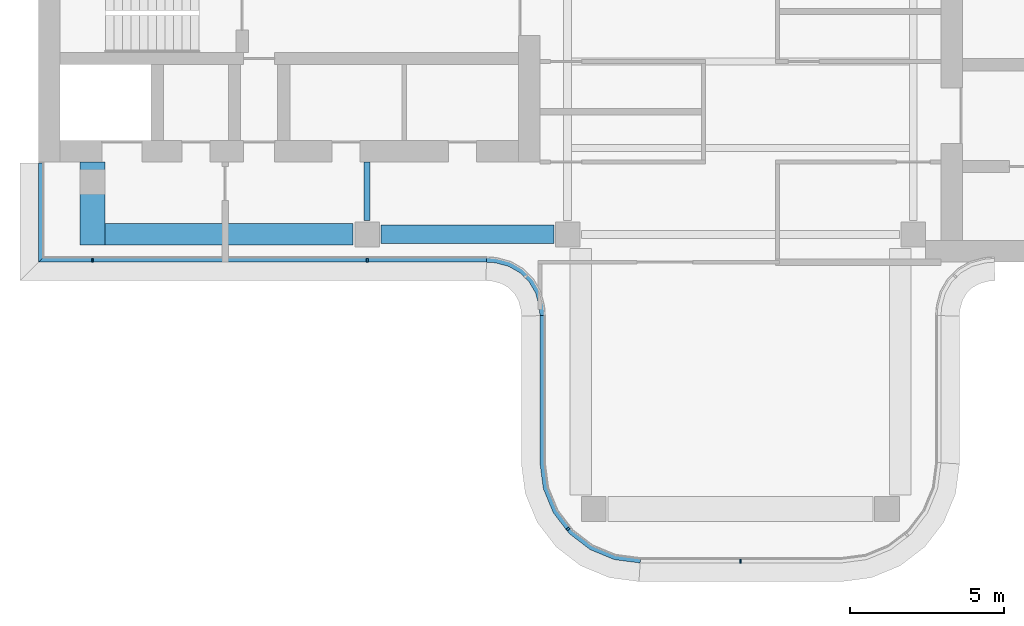
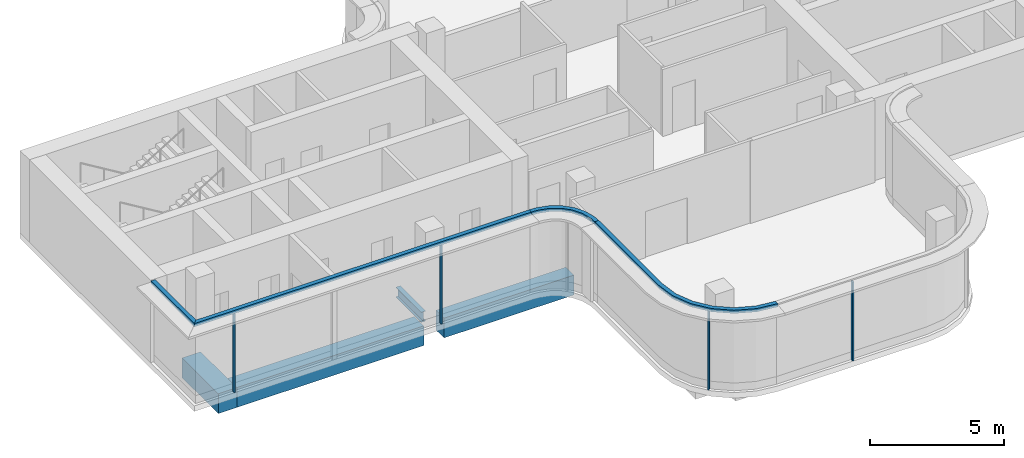
# One storey, part 2 of 10: 8 members, 4 beams, 5 elements without a shape of their own.
"""IFC4 building model written with IfcOpenShell, lengths in metres."""

from ifc_helpers import new_model, si_unit, direction, frame, origin, origin_2d, place, context, subcontext, project, spatial, polyline, rectangle, i_section, outline, extrude, source, transform, mapped, material, layer, layer_set, material_profile, profile_set, type_object, element, aggregate, save


model = new_model("IFC4")

# Units and contexts
model_context = context("Model", 3, precision=1e-05, world=origin(), true_north=direction((0.0, 1.0)))
body_context = subcontext(model_context, "Body", "Model", "MODEL_VIEW")
ifc_project = project(units=[si_unit("LENGTHUNIT", "METRE"), si_unit("AREAUNIT", "SQUARE_METRE"), si_unit("VOLUMEUNIT", "CUBIC_METRE"), si_unit("PLANEANGLEUNIT", "RADIAN"), si_unit("MASSUNIT", "GRAM", prefix="KILO")], contexts=[model_context])

# Site, building, storey
site_placement = place(None, origin())
site = spatial("IfcSite", under=ifc_project, at=site_placement, CompositionType="ELEMENT")
building_placement = place(site_placement, origin())
building = spatial("IfcBuilding", under=site, at=building_placement, Name="Trellis Farm Tower", CompositionType="ELEMENT")
storey_placement = place(building_placement, frame((0.0, 0.0, 350.10009765625)))
storey = spatial("IfcBuildingStorey", under=building, at=storey_placement, Name="L79", CompositionType="ELEMENT", Elevation=350.10009765625)

# Beams
ifc_material_1 = material(Name="Concrete C60/75", Category="concrete")
ifc_material_profile_1 = material_profile(ifc_material_1, rectangle(XDim=0.60009765625, YDim=0.89990234375, at=origin_2d()), Name="RC spandrel beam 600x900 C60/75")
ifc_profile_set_1 = profile_set([ifc_material_profile_1], Name="Concrete C60/75")
beam_type_1 = type_object("IfcBeamType", Name="RC spandrel beam 600x900 C60/75", PredefinedType="SPANDREL", material=ifc_profile_set_1)
shared_shape_1 = source(origin(), body_context, "Body", "SweptSolid", [
    extrude(rectangle(XDim=0.60009765625, YDim=0.89990234375, at=origin_2d()), origin(), (0.0, 0.0, 1.0), 5.599853515625),
])
beam_1_placement = place(storey_placement, frame((-11.64990234375, -5.60009765625, -0.7001953125), z_axis=(1.0, 0.0, 0.0), x_axis=(0.0, 1.0, 0.0)))
element("IfcBeam", 1, at=beam_1_placement, inside=storey, type_object=beam_type_1, Name="Girder", PredefinedType="SPANDREL", context=body_context, shape_type="MappedRepresentation", body=[
    mapped(shared_shape_1, transform((0.0, 0.0, 0.0))),
])
ifc_material_2 = material(Name="Steel S355", Category="steel")
ifc_material_profile_2 = material_profile(ifc_material_2, i_section(OverallWidth=0.1904296875, OverallDepth=0.45703125, WebThickness=0.009033203125, FlangeThickness=0.014404296875, FilletRadius=0.01025390625, at=origin_2d()), Name="UB 457x191x74")
ifc_profile_set_2 = profile_set([ifc_material_profile_2], Name="Steel S355")
beam_type_2 = type_object("IfcBeamType", Name="UB 457x191x74", PredefinedType="BEAM", material=ifc_profile_set_2)
shared_shape_2 = source(origin(), body_context, "Body", "SweptSolid", [
    extrude(i_section(OverallWidth=0.1904296875, OverallDepth=0.45703125, WebThickness=0.009033203125, FlangeThickness=0.014404296875, FilletRadius=0.01025390625, at=origin_2d()), origin(), (0.0, 0.0, 1.0), 1.89990234375),
])
beam_2_placement = place(storey_placement, frame((-12.10009765625, -5.14990234375, -0.478515625), z_axis=(0.0, 1.0, 0.0), x_axis=(-1.0, 0.0, 0.0)))
element("IfcBeam", 2, at=beam_2_placement, inside=storey, type_object=beam_type_2, Name="Girder", PredefinedType="BEAM", context=body_context, shape_type="MappedRepresentation", body=[
    mapped(shared_shape_2, transform((0.0, 0.0, 0.0))),
])
ifc_material_profile_3 = material_profile(ifc_material_1, rectangle(XDim=0.699951171875, YDim=0.89990234375, at=origin_2d()), Name="RC spandrel beam 700x900 C60/75")
ifc_profile_set_3 = profile_set([ifc_material_profile_3], Name="Concrete C60/75")
beam_type_3 = type_object("IfcBeamType", Name="RC spandrel beam 700x900 C60/75", PredefinedType="SPANDREL", material=ifc_profile_set_3)
shared_shape_3 = source(origin(), body_context, "Body", "SweptSolid", [
    extrude(rectangle(XDim=0.699951171875, YDim=0.89990234375, at=origin_2d()), origin(), (0.0, 0.0, 1.0), 8.050048828125),
])
beam_3_placement = place(storey_placement, frame((-20.60009765625, -5.60009765625, -0.7001953125), z_axis=(1.0, 0.0, 0.0), x_axis=(0.0, 1.0, 0.0)))
element("IfcBeam", 3, at=beam_3_placement, inside=storey, type_object=beam_type_3, Name="Girder", PredefinedType="SPANDREL", context=body_context, shape_type="MappedRepresentation", body=[
    mapped(shared_shape_3, transform((0.0, 0.0, 0.0))),
])
ifc_material_profile_4 = material_profile(ifc_material_1, rectangle(XDim=0.800048828125, YDim=0.89990234375, at=origin_2d()), Name="RC spandrel beam 800x900 C60/75")
ifc_profile_set_4 = profile_set([ifc_material_profile_4], Name="Concrete C60/75")
beam_type_4 = type_object("IfcBeamType", Name="RC spandrel beam 800x900 C60/75", PredefinedType="SPANDREL", material=ifc_profile_set_4)
shared_shape_4 = source(origin(), body_context, "Body", "SweptSolid", [
    extrude(rectangle(XDim=0.800048828125, YDim=0.89990234375, at=origin_2d()), origin(), (0.0, 0.0, 1.0), 2.699951171875),
])
beam_4_placement = place(storey_placement, frame((-21.0, -5.949951171875, -0.7001953125), z_axis=(0.0, 1.0, 0.0), x_axis=(-1.0, 0.0, 0.0)))
element("IfcBeam", 4, at=beam_4_placement, inside=storey, type_object=beam_type_4, Name="Girder", PredefinedType="SPANDREL", context=body_context, shape_type="MappedRepresentation", body=[
    mapped(shared_shape_4, transform((0.0, 0.0, 0.0))),
])

# Curtain wall, member
ifc_material_3 = material(Name="Aluminium and glass curtain wall", Category="aluminium")
ifc_layer_1 = layer(ifc_material_3, 0.176025390625)
ifc_layer_set_1 = layer_set([ifc_layer_1], Name="CROWN LANTERN CURTAIN WALL CW5")
curtain_wall_type = type_object("IfcCurtainWallType", Name="CROWN LANTERN CURTAIN WALL CW5", PredefinedType="NOTDEFINED", material=ifc_layer_set_1)
placement_1 = place(storey_placement, origin())
curtain_wall_1 = element("IfcCurtainWall", 5, at=placement_1, inside=storey, type_object=curtain_wall_type, Name="CW5 001", PredefinedType="NOTDEFINED")
ifc_material_4 = material(Name="Aluminium extrusion 6063-T6", Category="aluminium")
ifc_material_profile_5 = material_profile(ifc_material_4, rectangle(XDim=0.06005859375, YDim=0.1201171875, at=origin_2d()), Name="MULLION 60x120")
ifc_profile_set_5 = profile_set([ifc_material_profile_5], Name="Aluminium extrusion 6063-T6")
member_type_1 = type_object("IfcMemberType", Name="CW5 MULLION 60x120", PredefinedType="MULLION", material=ifc_profile_set_5)
shared_shape_5 = source(origin(), body_context, "Body", "SweptSolid", [
    extrude(rectangle(XDim=0.06005859375, YDim=0.1201171875, at=origin_2d()), origin(), (0.0, 0.0, 1.0), 3.599853515625),
])
member_1_placement = place(storey_placement, frame((-5.590087890625, -15.144775390625, 0.0), z_axis=(0.0, 0.0, 1.0), x_axis=(0.608761429009, -0.793353340291, 0.0)))
member_1 = element("IfcMember", 6, at=member_1_placement, type_object=member_type_1, Name="MU5 001-01", PredefinedType="MULLION", context=body_context, shape_type="MappedRepresentation", body=[
    mapped(shared_shape_5, transform((0.0, 0.0, 0.0))),
])

curtain_wall_2 = element("IfcCurtainWall", 7, at=placement_1, inside=storey, type_object=curtain_wall_type, Name="CW5 002", PredefinedType="NOTDEFINED")
member_2_placement = place(storey_placement, frame((0.0, -16.18994140625, 0.0), z_axis=(0.0, 0.0, 1.0), x_axis=(1.0, 0.0, 0.0)))
member_2 = element("IfcMember", 8, at=member_2_placement, type_object=member_type_1, Name="MU5 002-01", PredefinedType="MULLION", context=body_context, shape_type="MappedRepresentation", body=[
    mapped(shared_shape_5, transform((0.0, 0.0, 0.0))),
])
aggregate(curtain_wall_2, [member_2])

# Curtain wall, members
curtain_wall_3 = element("IfcCurtainWall", 9, at=placement_1, inside=storey, type_object=curtain_wall_type, Name="CW5 013", PredefinedType="NOTDEFINED")
member_3_placement = place(storey_placement, frame((-21.0, -6.43994140625, 0.0), z_axis=(0.0, 0.0, 1.0), x_axis=(1.0, 0.0, 0.0)))
member_3 = element("IfcMember", 10, at=member_3_placement, type_object=member_type_1, Name="MU5 013-01", PredefinedType="MULLION", context=body_context, shape_type="MappedRepresentation", body=[
    mapped(shared_shape_5, transform((0.0, 0.0, 0.0))),
])
member_4_placement = place(storey_placement, frame((-12.10009765625, -6.43994140625, 0.0), z_axis=(0.0, 0.0, 1.0), x_axis=(1.0, 0.0, 0.0)))
member_4 = element("IfcMember", 11, at=member_4_placement, type_object=member_type_1, Name="MU5 013-02", PredefinedType="MULLION", context=body_context, shape_type="MappedRepresentation", body=[
    mapped(shared_shape_5, transform((0.0, 0.0, 0.0))),
])
ifc_layer_2 = layer(ifc_material_4, 0.176025390625)
ifc_layer_set_2 = layer_set([ifc_layer_2], Name="Aluminium extrusion 6063-T6")
member_type_2 = type_object("IfcMemberType", Name="CW5 TRANSOM 176x150", PredefinedType="USERDEFINED", material=ifc_layer_set_2)
shared_shape_6 = source(origin(), body_context, "Body", "SweptSolid", [
    extrude(outline(polyline([(-22.75, -6.5), (-8.2314453125, -6.5), (-8.2255859375, -6.323974609375), (-22.573974609375, -6.323974609375), (-22.75, -6.5)])), origin(), (0.0, 0.0, 1.0), 0.150146484375),
])
placement_2 = place(storey_placement, frame((0.0, 0.0, 3.599853515625)))
member_5 = element("IfcMember", 12, at=placement_2, type_object=member_type_2, Name="TR5 013", ObjectType="TRANSOM", PredefinedType="USERDEFINED", context=body_context, shape_type="MappedRepresentation", body=[
    mapped(shared_shape_6, transform((0.0, 0.0, 0.0))),
])
aggregate(curtain_wall_3, [member_3, member_4, member_5])

# Curtain wall, member
curtain_wall_4 = element("IfcCurtainWall", 13, at=placement_1, inside=storey, type_object=curtain_wall_type, Name="CW5 014", PredefinedType="NOTDEFINED")
shared_shape_7 = source(origin(), body_context, "Body", "SweptSolid", [
    extrude(outline(polyline([(-8.2314453125, -6.5), (-8.01953125, -6.513916015625), (-7.91552734375, -6.527587890625), (-7.508544921875, -6.63671875), (-7.144287109375, -6.846923828125), (-6.846923828125, -7.144287109375), (-6.63671875, -7.508544921875), (-6.527587890625, -7.91552734375), (-6.513916015625, -8.01953125), (-6.5, -8.2314453125), (-6.323974609375, -8.2255859375), (-6.338623046875, -8.002197265625), (-6.3544921875, -7.881103515625), (-6.47265625, -7.440673828125), (-6.7060546875, -7.0361328125), (-7.0361328125, -6.7060546875), (-7.440673828125, -6.47265625), (-7.881103515625, -6.3544921875), (-8.002197265625, -6.338623046875), (-8.2255859375, -6.323974609375), (-8.2314453125, -6.5)])), origin(), (0.0, 0.0, 1.0), 0.150146484375),
])
member_6 = element("IfcMember", 14, at=placement_2, type_object=member_type_2, Name="TR5 014", ObjectType="TRANSOM", PredefinedType="USERDEFINED", context=body_context, shape_type="MappedRepresentation", body=[
    mapped(shared_shape_7, transform((0.0, 0.0, 0.0))),
])
aggregate(curtain_wall_4, [member_6])

curtain_wall_5 = element("IfcCurtainWall", 15, at=placement_1, inside=storey, type_object=curtain_wall_type, Name="CW5 012", PredefinedType="NOTDEFINED")
shared_shape_8 = source(origin(), body_context, "Body", "SweptSolid", [
    extrude(outline(polyline([(-22.75, -3.280029296875), (-22.75, -6.5), (-22.573974609375, -6.323974609375), (-22.573974609375, -3.280029296875), (-22.75, -3.280029296875)])), origin(), (0.0, 0.0, 1.0), 0.150146484375),
])
member_7 = element("IfcMember", 16, at=placement_2, type_object=member_type_2, Name="TR5 012", ObjectType="TRANSOM", PredefinedType="USERDEFINED", context=body_context, shape_type="MappedRepresentation", body=[
    mapped(shared_shape_8, transform((0.0, 0.0, 0.0))),
])
aggregate(curtain_wall_5, [member_7])

# Member
shared_shape_9 = source(origin(), body_context, "Body", "SweptSolid", [
    extrude(outline(polyline([(-6.5, -8.2314453125), (-6.5, -13.0), (-6.38916015625, -13.841064453125), (-6.064697265625, -14.625), (-5.548095703125, -15.298095703125), (-4.875, -15.814697265625), (-4.091064453125, -16.13916015625), (-3.25, -16.25), (-3.238525390625, -16.073974609375), (-4.045166015625, -15.9677734375), (-4.7861328125, -15.660888671875), (-5.422607421875, -15.172607421875), (-5.910888671875, -14.5361328125), (-6.2177734375, -13.795166015625), (-6.323974609375, -12.988525390625), (-6.323974609375, -8.2255859375), (-6.5, -8.2314453125)])), origin(), (0.0, 0.0, 1.0), 0.150146484375),
])
member_8 = element("IfcMember", 17, at=placement_2, type_object=member_type_2, Name="TR5 001", ObjectType="TRANSOM", PredefinedType="USERDEFINED", context=body_context, shape_type="MappedRepresentation", body=[
    mapped(shared_shape_9, transform((0.0, 0.0, 0.0))),
])

aggregate(curtain_wall_1, [member_1, member_8])

save(model, "model.ifc")
